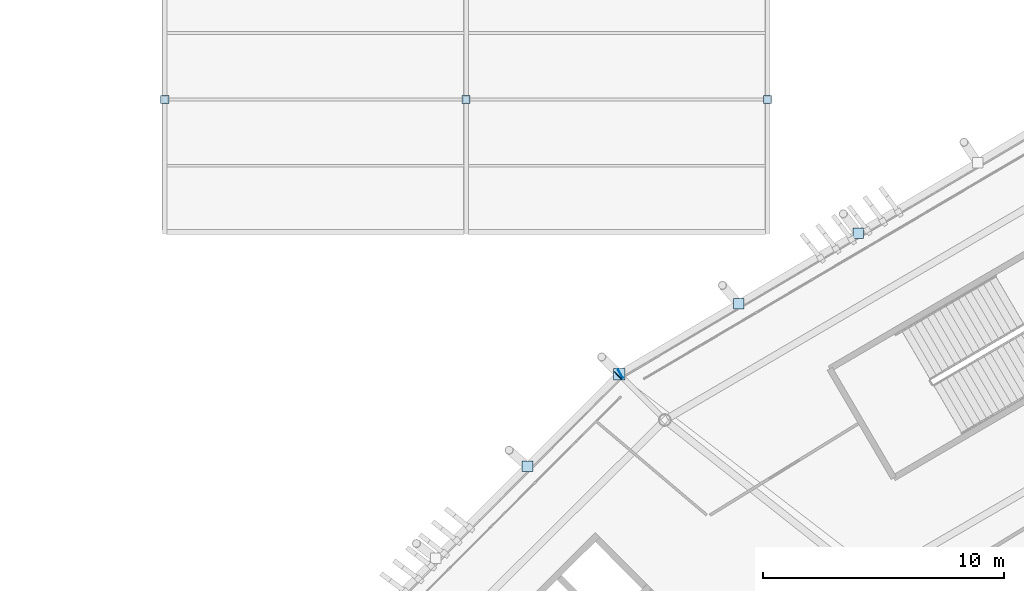
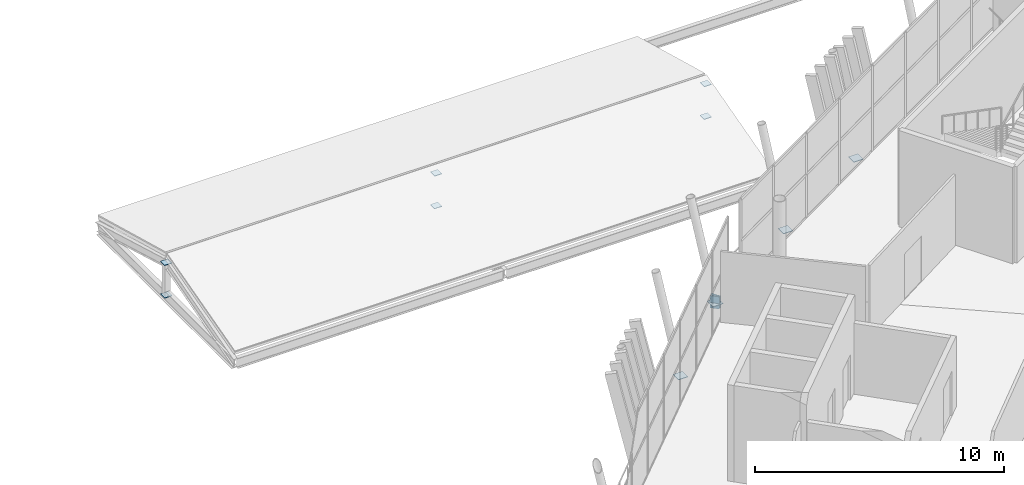
# One storey, part 117 of 179: 12 plates.
"""IFC4 building model written with IfcOpenShell, lengths in metres."""

from ifc_helpers import new_model, si_unit, direction, frame, origin, origin_2d, place, context, subcontext, project, spatial, rectangle, extrude, material, layer, layer_set, type_object, element, save


model = new_model("IFC4")

# Units and contexts
model_context = context("Model", 3, precision=1e-05, world=origin(), true_north=direction((0.0, 1.0)))
body_context = subcontext(model_context, "Body", "Model", "MODEL_VIEW")
ifc_project = project(units=[si_unit("LENGTHUNIT", "METRE"), si_unit("AREAUNIT", "SQUARE_METRE"), si_unit("VOLUMEUNIT", "CUBIC_METRE"), si_unit("PLANEANGLEUNIT", "RADIAN"), si_unit("MASSUNIT", "GRAM", prefix="KILO")], contexts=[model_context])

# Site, building, storey
site_placement = place(None, origin())
site = spatial("IfcSite", under=ifc_project, at=site_placement, CompositionType="ELEMENT")
building_placement = place(site_placement, origin())
building = spatial("IfcBuilding", under=site, at=building_placement, Name="Zlatoyarsky Gate Stadium", CompositionType="ELEMENT")
storey_placement = place(building_placement, frame((0.0, 0.0, 10.60009765625)))
storey = spatial("IfcBuildingStorey", under=building, at=storey_placement, Name="L02", CompositionType="ELEMENT", Elevation=10.60009765625)

# Plates
ifc_material = material(Name="Steel S355", Category="steel")
ifc_layer = layer(ifc_material, 0.02392578125)
ifc_layer_set = layer_set([ifc_layer], Name="Steel S355")
plate_type = type_object("IfcPlateType", Name="STEEL HOLLOW CHORD SPLICE SHEET 24", PredefinedType="SHEET", material=ifc_layer_set)
for number, where, z_axis, x_axis, name in (
    (1, (43.398681640625, 132.127197265625, -0.830078125), (0.0, 0.0, 1.0), (-0.860935696784, -0.508713795766, 0.0), "Hollow end cap ND-SP1 CAP-L02-SPD-08 B"),
    (2, (43.304443359375, 132.05419921875, -0.830078125), (0.0, 0.0, 1.0), (-0.705849920208, -0.708361412093, 0.0), "Hollow end cap ND-SP1 CAP-L02-SPD-09 A"),
):
    element("IfcPlate", number, at=place(storey_placement, frame(where, z_axis=z_axis, x_axis=x_axis)), inside=storey, type_object=plate_type, Name=name, PredefinedType="SHEET", context=body_context, shape_type="SweptSolid", body=[
        extrude(rectangle(XDim=0.02392578125, YDim=0.39990234375, at=origin_2d()), origin(), (0.0, 0.0, 1.0), 0.60009765625),
    ])
plate_placement = place(storey_placement, frame((43.346923828125, 132.0966796875, -0.592041015625), z_axis=(0.0, 0.0, 1.0), x_axis=(1.0, 0.0, 0.0)))
element("IfcPlate", 3, at=plate_placement, inside=storey, type_object=plate_type, Name="Node closure plate ND-SP1 NCAP-L02-RSTR-09", PredefinedType="SHEET", context=body_context, shape_type="SweptSolid", body=[
    extrude(rectangle(XDim=0.47998046875, YDim=0.47998046875, at=origin_2d()), origin(), (0.0, 0.0, 1.0), 0.02392578125),
])
for number, where, z_axis, x_axis, name in (
    (4, (53.25439453125, 137.950927734375, -0.5419921875), (0.0, 0.0, 1.0), (1.0, 0.0, 0.0), "Node closure plate ND-SP1 NCAP-RIB-08-2-0T"),
    (5, (48.30078125, 135.023681640625, -0.5419921875), (0.0, 0.0, 1.0), (1.0, 0.0, 0.0), "Node closure plate ND-SP1 NCAP-RIB-08-3-0T"),
    (6, (39.545654296875, 128.281982421875, -0.5419921875), (0.0, 0.0, 1.0), (1.0, 0.0, 0.0), "Node closure plate ND-SP1 NCAP-RIB-09-1-0T"),
):
    element("IfcPlate", number, at=place(storey_placement, frame(where, z_axis=z_axis, x_axis=x_axis)), inside=storey, type_object=plate_type, Name=name, PredefinedType="SHEET", context=body_context, shape_type="SweptSolid", body=[
        extrude(rectangle(XDim=0.43994140625, YDim=0.43994140625, at=origin_2d()), origin(), (0.0, 0.0, 1.0), 0.02392578125),
    ])
for number, where, z_axis, x_axis, name in (
    (7, (24.5, 143.5, -0.5419921875), (0.0, 0.0, 1.0), (1.0, 0.0, 0.0), "Node closure plate ND-SP1 NCAP-KP-V6_NW-1A"),
    (8, (24.5, 143.5, 1.057861328125), (0.0, 0.0, 1.0), (1.0, 0.0, 0.0), "Node closure plate ND-SP1 NCAP-KP-V6_NW-1B"),
    (9, (37.0, 143.5, -0.5419921875), (0.0, 0.0, 1.0), (1.0, 0.0, 0.0), "Node closure plate ND-SP1 NCAP-KP-V6_NW-2A"),
    (10, (37.0, 143.5, 1.057861328125), (0.0, 0.0, 1.0), (1.0, 0.0, 0.0), "Node closure plate ND-SP1 NCAP-KP-V6_NW-2B"),
    (11, (49.5, 143.5, -0.5419921875), (0.0, 0.0, 1.0), (1.0, 0.0, 0.0), "Node closure plate ND-SP1 NCAP-KP-V6_NW-3A"),
    (12, (49.5, 143.5, 1.057861328125), (0.0, 0.0, 1.0), (1.0, 0.0, 0.0), "Node closure plate ND-SP1 NCAP-KP-V6_NW-3B"),
):
    element("IfcPlate", number, at=place(storey_placement, frame(where, z_axis=z_axis, x_axis=x_axis)), inside=storey, type_object=plate_type, Name=name, PredefinedType="SHEET", context=body_context, shape_type="SweptSolid", body=[
        extrude(rectangle(XDim=0.340087890625, YDim=0.340087890625, at=origin_2d()), origin(), (0.0, 0.0, 1.0), 0.02392578125),
    ])

save(model, "model.ifc")
